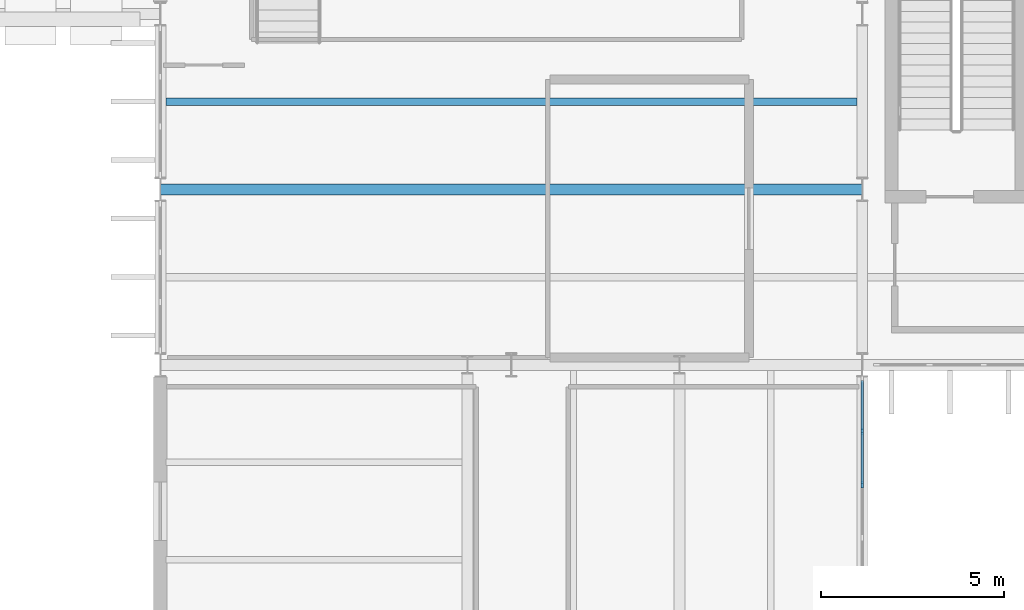
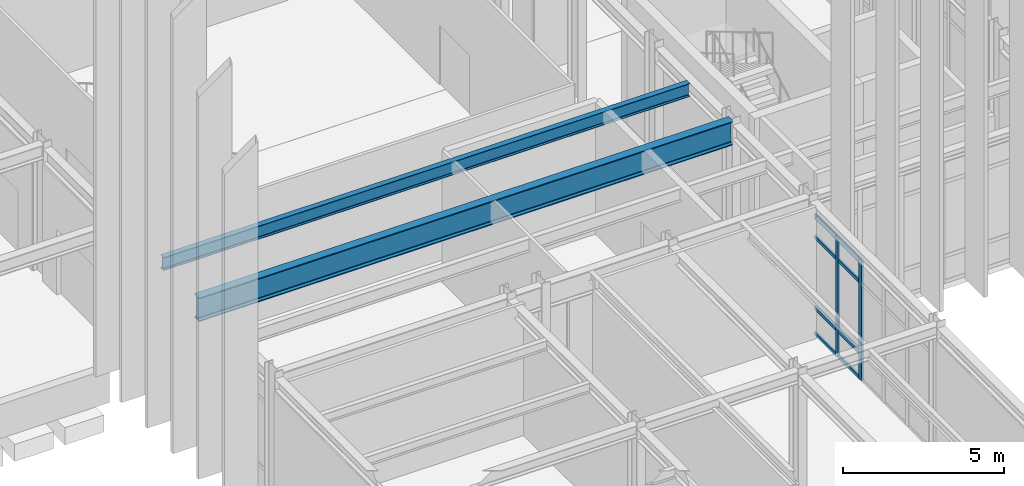
# One storey, part 38 of 109: 10 members, 2 beams, 1 element without a shape of its own.
"""IFC4 building model written with IfcOpenShell, lengths in metres."""

from ifc_helpers import new_model, si_unit, direction, frame, origin, origin_2d, place, context, subcontext, project, spatial, rectangle, i_section, extrude, material, layer, layer_set, material_profile, profile_set, type_object, element, aggregate, save


model = new_model("IFC4")

# Units and contexts
model_context = context("Model", 3, precision=1e-05, world=origin(), true_north=direction((0.0, 1.0)))
body_context = subcontext(model_context, "Body", "Model", "MODEL_VIEW")
ifc_project = project(units=[si_unit("LENGTHUNIT", "METRE"), si_unit("AREAUNIT", "SQUARE_METRE"), si_unit("VOLUMEUNIT", "CUBIC_METRE"), si_unit("PLANEANGLEUNIT", "RADIAN"), si_unit("MASSUNIT", "GRAM", prefix="KILO")], contexts=[model_context])

# Site, building, storey
site_placement = place(None, origin())
site = spatial("IfcSite", under=ifc_project, at=site_placement, CompositionType="ELEMENT")
building_placement = place(site_placement, origin())
building = spatial("IfcBuilding", under=site, at=building_placement, Name="Nordkorset Police Headquarters", CompositionType="ELEMENT")
storey_placement = place(building_placement, origin())
storey = spatial("IfcBuildingStorey", under=building, at=storey_placement, Name="L00", CompositionType="ELEMENT", Elevation=0.0)

# Beam
ifc_material_1 = material(Name="Steel S355J2", Category="steel")
ifc_material_profile_1 = material_profile(ifc_material_1, i_section(OverallWidth=0.199951171875, OverallDepth=0.5, WebThickness=0.01025390625, FlangeThickness=0.01611328125, FilletRadius=0.02099609375, at=origin_2d()), Name="IPE 500")
ifc_profile_set_1 = profile_set([ifc_material_profile_1], Name="Steel S355J2")
beam_type_1 = type_object("IfcBeamType", Name="Beam_IPE_500", PredefinedType="BEAM", material=ifc_profile_set_1)
beam_1_placement = place(storey_placement, frame((0.14990234375, 90.39990234375, 4.75), z_axis=(1.0, 0.0, 0.0), x_axis=(0.0, 1.0, 0.0)))
element("IfcBeam", 1, at=beam_1_placement, inside=storey, type_object=beam_type_1, Name="Composite Floor Beam V1 L00 0-1-1", PredefinedType="BEAM", context=body_context, shape_type="SweptSolid", body=[
    extrude(i_section(OverallWidth=0.199951171875, OverallDepth=0.5, WebThickness=0.01025390625, FlangeThickness=0.01611328125, FilletRadius=0.02099609375, at=origin_2d()), origin(), (0.0, 0.0, 1.0), 18.900146484375),
])

# Curtain wall, members
ifc_material_2 = material(Name="Aluminium alloy AW-6060", Category="aluminium")
ifc_layer = layer(ifc_material_2, 0.179931640625, Name="Aluminium alloy AW-6060")
ifc_layer_set = layer_set([ifc_layer], Name="Aluminium alloy AW-6060")
curtain_wall_type = type_object("IfcCurtainWallType", Name="CW_Unit_728x454", PredefinedType="USERDEFINED", material=ifc_layer_set)
curtain_wall_placement = place(storey_placement, origin())
curtain_wall = element("IfcCurtainWall", 2, at=curtain_wall_placement, inside=storey, type_object=curtain_wall_type, Name="Unitised Curtain Wall L00 V3E-5", ObjectType="UNITISED CURTAIN WALL", PredefinedType="USERDEFINED")
ifc_material_3 = material(Name="Aluminium alloy AW-6060", Category="aluminium")
ifc_material_profile_2 = material_profile(ifc_material_3, rectangle(XDim=0.06494140625, YDim=0.179931640625, at=origin_2d()), Name="ALU MULL 65x180")
ifc_profile_set_2 = profile_set([ifc_material_profile_2], Name="Aluminium alloy AW-6060")
member_type_1 = type_object("IfcMemberType", Name="CW_Mullion_65x180", PredefinedType="MULLION", material=ifc_profile_set_2)
member_1_placement = place(storey_placement, frame((19.199951171875, 79.927978515625, 0.0), z_axis=(0.0, 0.0, 1.0), x_axis=(-1.0, 0.0, 0.0)))
member_1 = element("IfcMember", 3, at=member_1_placement, type_object=member_type_1, Name="CW-50 mullion 4", PredefinedType="MULLION", context=body_context, shape_type="SweptSolid", body=[
    extrude(rectangle(XDim=0.06494140625, YDim=0.179931640625, at=origin_2d()), origin(), (0.0, 0.0, 1.0), 4.5400390625),
])
member_2_placement = place(storey_placement, frame((19.199951171875, 81.384033203125, 0.0), z_axis=(0.0, 0.0, 1.0), x_axis=(-1.0, 0.0, 0.0)))
member_2 = element("IfcMember", 4, at=member_2_placement, type_object=member_type_1, Name="CW-50 mullion 5", PredefinedType="MULLION", context=body_context, shape_type="SweptSolid", body=[
    extrude(rectangle(XDim=0.06494140625, YDim=0.179931640625, at=origin_2d()), origin(), (0.0, 0.0, 1.0), 4.5400390625),
])
ifc_material_4 = material(Name="Aluminium alloy AW-6060", Category="aluminium")
ifc_material_profile_3 = material_profile(ifc_material_4, rectangle(XDim=0.06494140625, YDim=0.139892578125, at=origin_2d()), Name="ALU TRAN 65x140")
ifc_profile_set_3 = profile_set([ifc_material_profile_3], Name="Aluminium alloy AW-6060")
member_type_2 = type_object("IfcMemberType", Name="CW_Transom_65x140", PredefinedType="USERDEFINED", material=ifc_profile_set_3)
member_3_placement = place(storey_placement, frame((19.199951171875, 79.96044921875, 0.032470703125), z_axis=(0.0, 1.0, 0.0), x_axis=(-1.0, 0.0, 0.0)))
member_3 = element("IfcMember", 5, at=member_3_placement, type_object=member_type_2, Name="CW-50 transom 4.1", ObjectType="TRANSOM", PredefinedType="USERDEFINED", context=body_context, shape_type="SweptSolid", body=[
    extrude(rectangle(XDim=0.06494140625, YDim=0.139892578125, at=origin_2d()), origin(), (0.0, 0.0, 1.0), 1.39111328125),
])
member_4_placement = place(storey_placement, frame((19.199951171875, 79.96044921875, 1.0), z_axis=(0.0, 1.0, 0.0), x_axis=(-1.0, 0.0, 0.0)))
member_4 = element("IfcMember", 6, at=member_4_placement, type_object=member_type_2, Name="CW-50 transom 4.2", ObjectType="TRANSOM", PredefinedType="USERDEFINED", context=body_context, shape_type="SweptSolid", body=[
    extrude(rectangle(XDim=0.06494140625, YDim=0.139892578125, at=origin_2d()), origin(), (0.0, 0.0, 1.0), 1.39111328125),
])
member_5_placement = place(storey_placement, frame((19.199951171875, 79.96044921875, 3.68994140625), z_axis=(0.0, 1.0, 0.0), x_axis=(-1.0, 0.0, 0.0)))
member_5 = element("IfcMember", 7, at=member_5_placement, type_object=member_type_2, Name="CW-50 transom 4.3", ObjectType="TRANSOM", PredefinedType="USERDEFINED", context=body_context, shape_type="SweptSolid", body=[
    extrude(rectangle(XDim=0.06494140625, YDim=0.139892578125, at=origin_2d()), origin(), (0.0, 0.0, 1.0), 1.39111328125),
])
member_6_placement = place(storey_placement, frame((19.199951171875, 79.96044921875, 4.507568359375), z_axis=(0.0, 1.0, 0.0), x_axis=(-1.0, 0.0, 0.0)))
member_6 = element("IfcMember", 8, at=member_6_placement, type_object=member_type_2, Name="CW-50 transom 4.4", ObjectType="TRANSOM", PredefinedType="USERDEFINED", context=body_context, shape_type="SweptSolid", body=[
    extrude(rectangle(XDim=0.06494140625, YDim=0.139892578125, at=origin_2d()), origin(), (0.0, 0.0, 1.0), 1.39111328125),
])
member_7_placement = place(storey_placement, frame((19.199951171875, 81.41650390625, 0.032470703125), z_axis=(0.0, 1.0, 0.0), x_axis=(-1.0, 0.0, 0.0)))
member_7 = element("IfcMember", 9, at=member_7_placement, type_object=member_type_2, Name="CW-50 transom 5.1", ObjectType="TRANSOM", PredefinedType="USERDEFINED", context=body_context, shape_type="SweptSolid", body=[
    extrude(rectangle(XDim=0.06494140625, YDim=0.139892578125, at=origin_2d()), origin(), (0.0, 0.0, 1.0), 1.3583984375),
])
member_8_placement = place(storey_placement, frame((19.199951171875, 81.41650390625, 1.0), z_axis=(0.0, 1.0, 0.0), x_axis=(-1.0, 0.0, 0.0)))
member_8 = element("IfcMember", 10, at=member_8_placement, type_object=member_type_2, Name="CW-50 transom 5.2", ObjectType="TRANSOM", PredefinedType="USERDEFINED", context=body_context, shape_type="SweptSolid", body=[
    extrude(rectangle(XDim=0.06494140625, YDim=0.139892578125, at=origin_2d()), origin(), (0.0, 0.0, 1.0), 1.3583984375),
])
member_9_placement = place(storey_placement, frame((19.199951171875, 81.41650390625, 3.68994140625), z_axis=(0.0, 1.0, 0.0), x_axis=(-1.0, 0.0, 0.0)))
member_9 = element("IfcMember", 11, at=member_9_placement, type_object=member_type_2, Name="CW-50 transom 5.3", ObjectType="TRANSOM", PredefinedType="USERDEFINED", context=body_context, shape_type="SweptSolid", body=[
    extrude(rectangle(XDim=0.06494140625, YDim=0.139892578125, at=origin_2d()), origin(), (0.0, 0.0, 1.0), 1.3583984375),
])
member_10_placement = place(storey_placement, frame((19.199951171875, 81.41650390625, 4.507568359375), z_axis=(0.0, 1.0, 0.0), x_axis=(-1.0, 0.0, 0.0)))
member_10 = element("IfcMember", 12, at=member_10_placement, type_object=member_type_2, Name="CW-50 transom 5.4", ObjectType="TRANSOM", PredefinedType="USERDEFINED", context=body_context, shape_type="SweptSolid", body=[
    extrude(rectangle(XDim=0.06494140625, YDim=0.139892578125, at=origin_2d()), origin(), (0.0, 0.0, 1.0), 1.3583984375),
])
aggregate(curtain_wall, [member_1, member_2, member_3, member_4, member_5, member_6, member_7, member_8, member_9, member_10])

# Beam
ifc_material_5 = material(Name="Steel S355J2", Category="steel")
ifc_material_profile_4 = material_profile(ifc_material_5, i_section(OverallWidth=0.300048828125, OverallDepth=0.89990234375, WebThickness=0.0185546875, FlangeThickness=0.034912109375, FilletRadius=0.030029296875, at=origin_2d()), Name="HEB 900")
ifc_profile_set_4 = profile_set([ifc_material_profile_4], Name="Steel S355J2")
beam_type_2 = type_object("IfcBeamType", Name="Girder_HEB_900", PredefinedType="USERDEFINED", material=ifc_profile_set_4)
beam_2_placement = place(storey_placement, frame((0.008056640625, 88.0, 4.550048828125), z_axis=(1.0, 0.0, 0.0), x_axis=(0.0, 1.0, 0.0)))
element("IfcBeam", 13, at=beam_2_placement, inside=storey, type_object=beam_type_2, Name="Girder V1 L00 GX-1-0", ObjectType="GIRDER", PredefinedType="USERDEFINED", context=body_context, shape_type="SweptSolid", body=[
    extrude(i_section(OverallWidth=0.300048828125, OverallDepth=0.89990234375, WebThickness=0.0185546875, FlangeThickness=0.034912109375, FilletRadius=0.030029296875, at=origin_2d()), origin(), (0.0, 0.0, 1.0), 19.183837890625),
])

save(model, "model.ifc")
